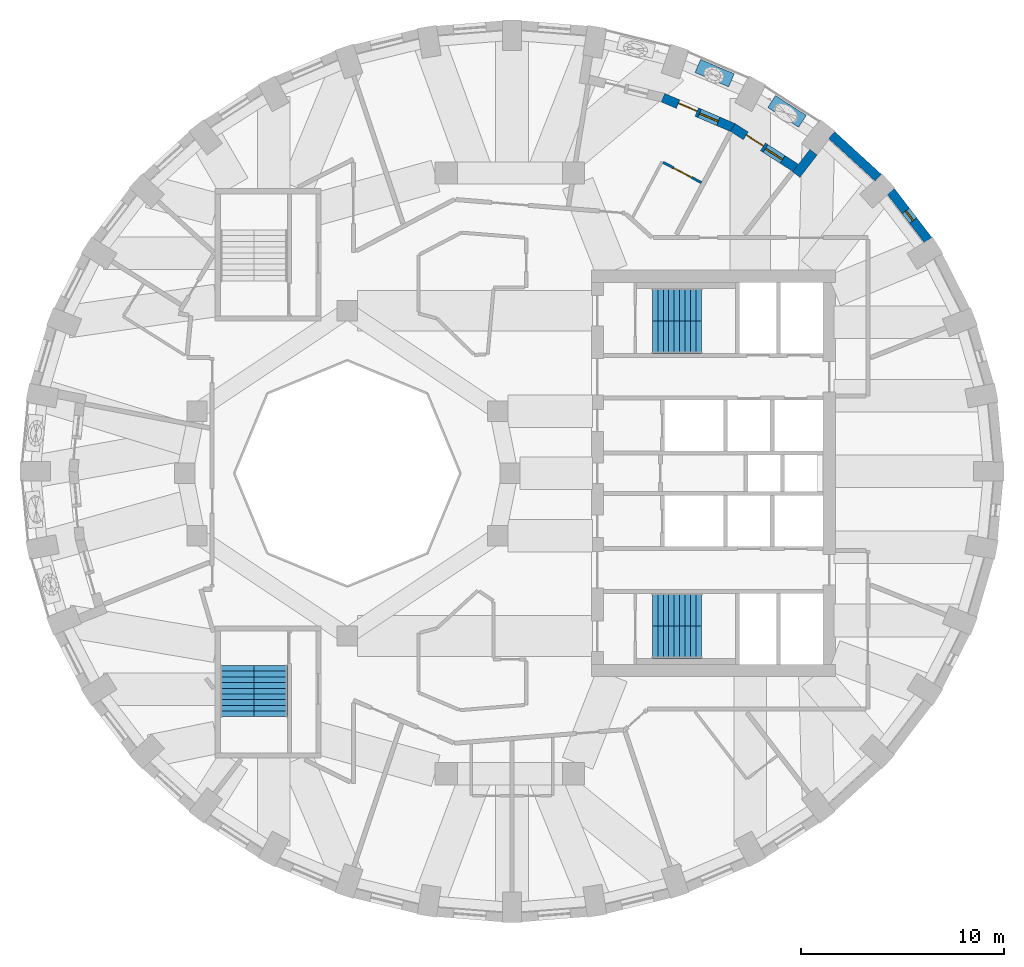
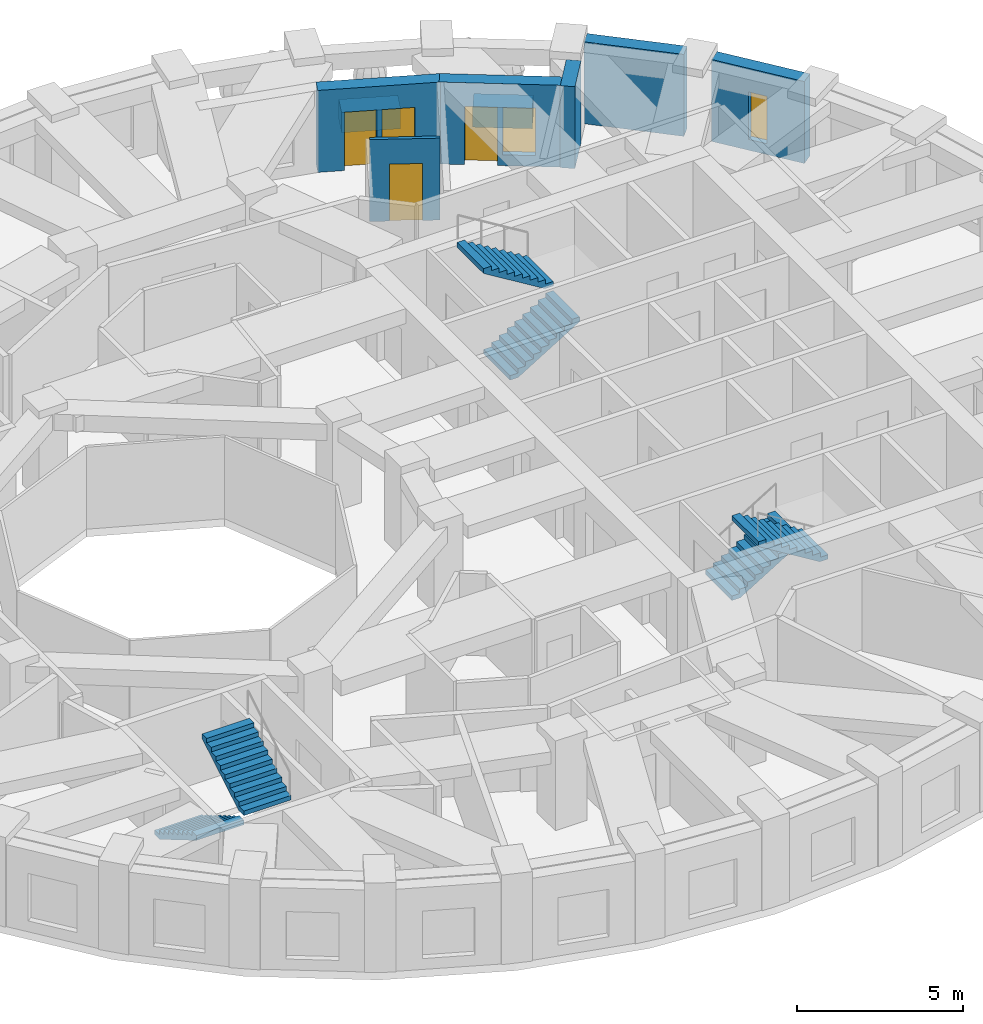
# One storey, part 8 of 12: 8 walls, 6 stair flights, 3 doors, 3 windows, 6 openings, 3 elements without a shape of their own.
"""IFC4 building model written with IfcOpenShell, lengths in metres."""

from ifc_helpers import new_model, si_unit, direction, frame, frame_2d, origin, place, context, subcontext, project, spatial, polyline, rectangle, outline, extrude, material, layer, layer_set, constituent, constituent_set, type_object, element, fill, aggregate, save


model = new_model("IFC4")

# Units and contexts
model_context = context("Model", 3, precision=1e-05, world=origin(), true_north=direction((0.0, 1.0)))
body_context = subcontext(model_context, "Body", "Model", "MODEL_VIEW")
ifc_project = project(units=[si_unit("LENGTHUNIT", "METRE"), si_unit("AREAUNIT", "SQUARE_METRE"), si_unit("VOLUMEUNIT", "CUBIC_METRE"), si_unit("PLANEANGLEUNIT", "RADIAN"), si_unit("MASSUNIT", "GRAM", prefix="KILO")], contexts=[model_context])

# Site, building, storey
site_placement = place(None, origin())
site = spatial("IfcSite", under=ifc_project, at=site_placement, CompositionType="ELEMENT")
building_placement = place(site_placement, origin())
building = spatial("IfcBuilding", under=site, at=building_placement, Name="Taillehof Tower", CompositionType="ELEMENT")
storey_placement = place(building_placement, frame((0.0, 0.0, 145.10009765625)))
storey = spatial("IfcBuildingStorey", under=building, at=storey_placement, Name="L40", CompositionType="ELEMENT", Elevation=145.10009765625)

# Wall, opening, window
ifc_material_1 = material(Name="Brick masonry", Category="masonry")
ifc_layer_1 = layer(ifc_material_1, 0.449951171875)
ifc_layer_set_1 = layer_set([ifc_layer_1], Name="Brick infill wall 450")
wall_type_1 = type_object("IfcWallType", Name="Brick infill wall 450", PredefinedType="SOLIDWALL", material=ifc_layer_set_1)
wall_1_placement = place(storey_placement, frame((20.573974609375, 11.467041015625, 0.0), z_axis=(0.0, 0.0, 1.0), x_axis=(-0.607817056371, 0.794077090706, 0.0)))
wall_1 = element("IfcWall", 1, at=wall_1_placement, inside=storey, type_object=wall_type_1, Name="Brick wall L40 bay 4", PredefinedType="SOLIDWALL", context=body_context, shape_type="SweptSolid", body=[
    extrude(rectangle(XDim=3.037109375, YDim=0.449951171875, at=frame_2d((1.5185546875, 0.0))), origin(), (0.0, 0.0, 1.0), 3.02001953125),
])
opening_1_placement = place(wall_1_placement, frame((1.218505859375, 0.0, 0.39990234375)))
opening_1 = element("IfcOpeningElement", 2, at=opening_1_placement, cuts=wall_1, Name="Opening W6", PredefinedType="OPENING", context=body_context, shape_type="SweptSolid", body=[
    extrude(rectangle(XDim=0.60009765625, YDim=1.75, at=frame_2d((0.300048828125, 0.875))), frame((0.0, 0.23486328125, 0.0), z_axis=(0.0, -1.0, 0.0), x_axis=(1.0, 0.0, 0.0)), (0.0, 0.0, 1.0), 0.469970703125),
])
ifc_material_2 = material(Name="Aluminium window frame with clear double glazing", Category="aluminium")
window_type_1 = type_object("IfcWindowType", Name="Slot window 600x1750", PartitioningType="SINGLE_PANEL", PredefinedType="WINDOW", material=ifc_material_2)
window_1_placement = place(opening_1_placement, origin())
window_1 = element("IfcWindow", 3, at=window_1_placement, inside=storey, type_object=window_type_1, Name="W6", OverallHeight=1.75, OverallWidth=0.60009765625, PartitioningType="SINGLE_PANEL", PredefinedType="WINDOW", context=body_context, shape_type="SweptSolid", body=[
    extrude(rectangle(XDim=0.60009765625, YDim=1.75, at=frame_2d((0.300048828125, 0.875))), frame((0.0, 0.034912109375, 0.0), z_axis=(0.0, -1.0, 0.0), x_axis=(1.0, 0.0, 0.0)), (0.0, 0.0, 1.0), 0.06005859375),
])
fill(opening_1, window_1)

# Walls
wall_2_placement = place(storey_placement, frame((18.11328125, 14.5498046875, 0.0), z_axis=(0.0, 0.0, 1.0), x_axis=(-0.737808755941, 0.675009807082, 0.0)))
element("IfcWall", 4, at=wall_2_placement, inside=storey, type_object=wall_type_1, Name="Brick wall L40 bay 5", PredefinedType="SOLIDWALL", context=body_context, shape_type="SweptSolid", body=[
    extrude(rectangle(XDim=3.094482421875, YDim=0.449951171875, at=frame_2d((1.54736328125, 0.0))), origin(), (0.0, 0.0, 1.0), 3.02001953125),
])
wall_3_placement = place(storey_placement, frame((14.931396484375, 15.796630859375, 0.0), z_axis=(0.0, 0.0, 1.0), x_axis=(-0.609897399413, -0.792480385996, 0.0)))
element("IfcWall", 5, at=wall_3_placement, inside=storey, type_object=wall_type_1, Name="Brick reveal L40 pocket 1", PredefinedType="SOLIDWALL", context=body_context, shape_type="SweptSolid", body=[
    extrude(rectangle(XDim=1.390625, YDim=0.449951171875, at=frame_2d((0.6953125, 0.0))), origin(), (0.0, 0.0, 1.0), 3.02001953125),
])

# Wall, openings, door, window
wall_4_placement = place(storey_placement, frame((14.0537109375, 15.025390625, 0.0), z_axis=(0.0, 0.0, 1.0), x_axis=(-0.841393801846, 0.54042249233, 0.0)))
wall_4 = element("IfcWall", 6, at=wall_4_placement, inside=storey, type_object=wall_type_1, Name="Brick wall L40 pocket bay 6", PredefinedType="SOLIDWALL", context=body_context, shape_type="SweptSolid", body=[
    extrude(rectangle(XDim=3.6826171875, YDim=0.449951171875, at=frame_2d((1.84130859375, 0.0))), origin(), (0.0, 0.0, 1.0), 3.02001953125),
])
opening_2_placement = place(wall_4_placement, frame((0.766357421875, 0.0, 0.39990234375)))
opening_2 = element("IfcOpeningElement", 7, at=opening_2_placement, cuts=wall_4, Name="Opening W5", PredefinedType="OPENING", context=body_context, shape_type="SweptSolid", body=[
    extrude(rectangle(XDim=1.0, YDim=1.75, at=frame_2d((0.5, 0.875))), frame((0.0, 0.23486328125, 0.0), z_axis=(0.0, -1.0, 0.0), x_axis=(1.0, 0.0, 0.0)), (0.0, 0.0, 1.0), 0.469970703125),
])
opening_3_placement = place(wall_4_placement, frame((1.916259765625, 0.0, 0.0)))
opening_3 = element("IfcOpeningElement", 8, at=opening_3_placement, cuts=wall_4, Name="Opening D4094", PredefinedType="OPENING", context=body_context, shape_type="SweptSolid", body=[
    extrude(rectangle(XDim=1.0, YDim=2.14990234375, at=frame_2d((0.5, 1.074951171875))), frame((0.0, 0.23486328125, 0.0), z_axis=(0.0, -1.0, 0.0), x_axis=(1.0, 0.0, 0.0)), (0.0, 0.0, 1.0), 0.469970703125),
])
ifc_material_3 = material(Name="Aluminium door frame with clear double glazing", Category="aluminium")
door_type_1 = type_object("IfcDoorType", Name="Balcony door 1000x2150", OperationType="SINGLE_SWING_RIGHT", PredefinedType="DOOR", material=ifc_material_3)
door_1_placement = place(opening_3_placement, frame((1.0, 0.0, 0.0), z_axis=(0.0, 0.0, 1.0), x_axis=(-1.0, 0.0, 0.0)))
door_1 = element("IfcDoor", 9, at=door_1_placement, inside=storey, type_object=door_type_1, Name="Balcony door L40 bay 6", OperationType="SINGLE_SWING_RIGHT", OverallHeight=2.14990234375, OverallWidth=1.0, PredefinedType="DOOR", context=body_context, shape_type="SweptSolid", body=[
    extrude(rectangle(XDim=1.0, YDim=2.14990234375, at=frame_2d((0.5, 1.074951171875))), frame((0.0, 0.0751953125, 0.0), z_axis=(0.0, -1.0, 0.0), x_axis=(1.0, 0.0, 0.0)), (0.0, 0.0, 1.0), 0.050048828125),
])
fill(opening_3, door_1)
ifc_material_4 = material(Name="Aluminium window frame with clear double glazing", Category="aluminium")
window_type_2 = type_object("IfcWindowType", Name="Fixed window 1000x1750", PartitioningType="SINGLE_PANEL", PredefinedType="WINDOW", material=ifc_material_4)
window_2_placement = place(opening_2_placement, origin())
window_2 = element("IfcWindow", 10, at=window_2_placement, inside=storey, type_object=window_type_2, Name="W5", OverallHeight=1.75, OverallWidth=1.0, PartitioningType="SINGLE_PANEL", PredefinedType="WINDOW", context=body_context, shape_type="SweptSolid", body=[
    extrude(rectangle(XDim=1.0, YDim=1.75, at=frame_2d((0.5, 0.875))), frame((0.0, 0.034912109375, 0.0), z_axis=(0.0, -1.0, 0.0), x_axis=(1.0, 0.0, 0.0)), (0.0, 0.0, 1.0), 0.06005859375),
])
fill(opening_2, window_2)

wall_5_placement = place(storey_placement, frame((10.98828125, 16.998046875, 0.0), z_axis=(0.0, 0.0, 1.0), x_axis=(-0.919443425894, 0.393222311907, 0.0)))
wall_5 = element("IfcWall", 11, at=wall_5_placement, inside=storey, type_object=wall_type_1, Name="Brick wall L40 pocket bay 7", PredefinedType="SOLIDWALL", context=body_context, shape_type="SweptSolid", body=[
    extrude(rectangle(XDim=3.76318359375, YDim=0.449951171875, at=frame_2d((1.881591796875, 0.0))), origin(), (0.0, 0.0, 1.0), 3.02001953125),
])
opening_4_placement = place(wall_5_placement, frame((0.806640625, 0.0, 0.39990234375)))
opening_4 = element("IfcOpeningElement", 12, at=opening_4_placement, cuts=wall_5, Name="Opening W5", PredefinedType="OPENING", context=body_context, shape_type="SweptSolid", body=[
    extrude(rectangle(XDim=1.0, YDim=1.75, at=frame_2d((0.5, 0.875))), frame((0.0, 0.23486328125, 0.0), z_axis=(0.0, -1.0, 0.0), x_axis=(1.0, 0.0, 0.0)), (0.0, 0.0, 1.0), 0.469970703125),
])
opening_5_placement = place(wall_5_placement, frame((1.95654296875, 0.0, 0.0)))
opening_5 = element("IfcOpeningElement", 13, at=opening_5_placement, cuts=wall_5, Name="Opening D4095", PredefinedType="OPENING", context=body_context, shape_type="SweptSolid", body=[
    extrude(rectangle(XDim=1.0, YDim=2.14990234375, at=frame_2d((0.5, 1.074951171875))), frame((0.0, 0.23486328125, 0.0), z_axis=(0.0, -1.0, 0.0), x_axis=(1.0, 0.0, 0.0)), (0.0, 0.0, 1.0), 0.469970703125),
])
door_2_placement = place(opening_5_placement, frame((1.0, 0.0, 0.0), z_axis=(0.0, 0.0, 1.0), x_axis=(-1.0, 0.0, 0.0)))
door_2 = element("IfcDoor", 14, at=door_2_placement, inside=storey, type_object=door_type_1, Name="Balcony door L40 bay 7", OperationType="SINGLE_SWING_LEFT", OverallHeight=2.14990234375, OverallWidth=1.0, PredefinedType="DOOR", context=body_context, shape_type="SweptSolid", body=[
    extrude(rectangle(XDim=1.0, YDim=2.14990234375, at=frame_2d((0.5, 1.074951171875))), frame((0.0, 0.0751953125, 0.0), z_axis=(0.0, -1.0, 0.0), x_axis=(1.0, 0.0, 0.0)), (0.0, 0.0, 1.0), 0.050048828125),
])
fill(opening_5, door_2)
window_3_placement = place(opening_4_placement, origin())
window_3 = element("IfcWindow", 15, at=window_3_placement, inside=storey, type_object=window_type_2, Name="W5", OverallHeight=1.75, OverallWidth=1.0, PartitioningType="SINGLE_PANEL", PredefinedType="WINDOW", context=body_context, shape_type="SweptSolid", body=[
    extrude(rectangle(XDim=1.0, YDim=1.75, at=frame_2d((0.5, 0.875))), frame((0.0, 0.034912109375, 0.0), z_axis=(0.0, -1.0, 0.0), x_axis=(1.0, 0.0, 0.0)), (0.0, 0.0, 1.0), 0.06005859375),
])
fill(opening_4, window_3)

# Wall, opening, door
ifc_material_5 = material(Name="Gypsum board on steel studs, moisture resistant", Category="steel")
ifc_layer_2 = layer(ifc_material_5, 0.1201171875)
ifc_layer_set_2 = layer_set([ifc_layer_2], Name="En-suite wall 120")
wall_type_2 = type_object("IfcWallType", Name="En-suite wall 120", PredefinedType="PARTITIONING", material=ifc_layer_set_2)
wall_6_placement = place(storey_placement, frame((7.532470703125, 15.2998046875, 0.0), z_axis=(0.0, 0.0, 1.0), x_axis=(0.883707061275, -0.468040414764, 0.0)))
wall_6 = element("IfcWall", 16, at=wall_6_placement, inside=storey, type_object=wall_type_2, Name="En-suite wall", PredefinedType="PARTITIONING", context=body_context, shape_type="SweptSolid", body=[
    extrude(rectangle(XDim=2.13037109375, YDim=0.1201171875, at=frame_2d((1.065185546875, 0.0))), origin(), (0.0, 0.0, 1.0), 3.02001953125),
])
opening_6_placement = place(wall_6_placement, frame((0.59033203125, 0.0, 0.0)))
opening_6 = element("IfcOpeningElement", 17, at=opening_6_placement, cuts=wall_6, Name="Opening D4042", PredefinedType="OPENING", context=body_context, shape_type="SweptSolid", body=[
    extrude(rectangle(XDim=1.0, YDim=2.10009765625, at=frame_2d((0.5, 1.050048828125))), frame((0.0, 0.070068359375, 0.0), z_axis=(0.0, -1.0, 0.0), x_axis=(1.0, 0.0, 0.0)), (0.0, 0.0, 1.0), 0.14013671875),
])
ifc_material_6 = material(Name="Timber door leaf in steel frame", Category="steel")
door_type_2 = type_object("IfcDoorType", Name="Accessible en-suite door 1000 x 2100", OperationType="SINGLE_SWING_LEFT", PredefinedType="DOOR", material=ifc_material_6)
door_3_placement = place(opening_6_placement, origin())
door_3 = element("IfcDoor", 18, at=door_3_placement, inside=storey, type_object=door_type_2, Name="D4042", OperationType="SINGLE_SWING_RIGHT", OverallHeight=2.10009765625, OverallWidth=1.0, PredefinedType="DOOR", context=body_context, shape_type="SweptSolid", body=[
    extrude(rectangle(XDim=1.0, YDim=2.10009765625, at=frame_2d((0.5, 1.050048828125))), frame((0.0, 0.02490234375, 0.0), z_axis=(0.0, -1.0, 0.0), x_axis=(1.0, 0.0, 0.0)), (0.0, 0.0, 1.0), 0.050048828125),
])
fill(opening_6, door_3)

# Walls
ifc_material_7 = material(Name="Concrete C30/37 precast", Category="concrete")
ifc_constituent_1 = constituent(ifc_material_7, Name="Structure", Category="concrete")
ifc_material_8 = material(Name="Insulated lining")
ifc_constituent_2 = constituent(ifc_material_8, Name="Lining")
ifc_constituent_set = constituent_set(constituents=[ifc_constituent_1, ifc_constituent_2], Name="Planter trough 700x750")
wall_type_3 = type_object("IfcWallType", Name="Planter trough 700x750", PredefinedType="USERDEFINED", material=ifc_constituent_set)
wall_7_placement = place(storey_placement, frame((14.385986328125, 17.317626953125, 0.0), z_axis=(0.0, 0.0, 1.0), x_axis=(-0.842032375698, 0.539426990682, 0.0)))
element("IfcWall", 19, at=wall_7_placement, inside=storey, type_object=wall_type_3, Name="Planter L40 bay 6", ObjectType="PLANTER", PredefinedType="USERDEFINED", context=body_context, shape_type="SweptSolid", body=[
    extrude(rectangle(XDim=1.800048828125, YDim=0.699951171875, at=frame_2d((0.89990234375, 0.0))), origin(), (0.0, 0.0, 1.0), 0.75),
])
wall_8_placement = place(storey_placement, frame((10.89453125, 19.331298828125, 0.0), z_axis=(0.0, 0.0, 1.0), x_axis=(-0.91978926552, 0.392412674406, 0.0)))
element("IfcWall", 20, at=wall_8_placement, inside=storey, type_object=wall_type_3, Name="Planter L40 bay 7", ObjectType="PLANTER", PredefinedType="USERDEFINED", context=body_context, shape_type="SweptSolid", body=[
    extrude(rectangle(XDim=1.7998046875, YDim=0.699951171875, at=frame_2d((0.89990234375, 0.0))), origin(), (0.0, 0.0, 1.0), 0.75),
])

# Stair, stair flights
ifc_material_9 = material(Name="Concrete C40/50", Category="concrete")
stair_type = type_object("IfcStairType", Name="Exit stair half-turn", PredefinedType="HALF_TURN_STAIR", material=ifc_material_9)
stair_1_placement = place(storey_placement, origin())
stair_1 = element("IfcStair", 21, at=stair_1_placement, inside=storey, type_object=stair_type, Name="Exit stair S1", PredefinedType="HALF_TURN_STAIR")
ifc_material_10 = material(Name="Concrete C40/50", Category="concrete")
stair_flight_type_1 = type_object("IfcStairFlightType", Name="Stair flight 1600 riser 165.0 going 270", PredefinedType="STRAIGHT", material=ifc_material_10)
stair_flight_1_placement = place(storey_placement, frame((7.0, 6.699951171875, 0.0), z_axis=(0.0, 0.0, 1.0), x_axis=(1.0, 0.0, 0.0)))
stair_flight_1 = element("IfcStairFlight", 22, at=stair_flight_1_placement, type_object=stair_flight_type_1, Name="S1 flight 1", NumberOfRisers=10, NumberOfTreads=9, PredefinedType="STRAIGHT", RiserHeight=0.165, TreadLength=0.27, context=body_context, shape_type="SweptSolid", body=[
    extrude(outline(polyline([(0.0, 0.0), (0.0, 0.00537109375), (0.0, 0.0107421875), (0.0, 0.015869140625), (0.0, 0.021240234375), (0.0, 0.026611328125), (0.0, 0.031982421875), (0.0, 0.037353515625), (0.0, 0.04248046875), (0.0, 0.0478515625), (0.0, 0.05322265625), (0.0, 0.05859375), (0.0, 0.06396484375), (0.0, 0.069091796875), (0.0, 0.074462890625), (0.0, 0.079833984375), (0.0, 0.085205078125), (0.0, 0.090576171875), (0.0, 0.095703125), (0.0, 0.10107421875), (0.0, 0.1064453125), (0.0, 0.11181640625), (0.0, 0.1171875), (0.0, 0.122314453125), (0.0, 0.127685546875), (0.0, 0.133056640625), (0.0, 0.138427734375), (0.0, 0.143798828125), (0.0, 0.14892578125), (0.0, 0.154296875), (0.0, 0.15966796875), (0.0, 0.1650390625), (0.27001953125, 0.1650390625), (0.27001953125, 0.330078125), (0.5400390625, 0.330078125), (0.5400390625, 0.4951171875), (0.81005859375, 0.4951171875), (0.81005859375, 0.659912109375), (1.080078125, 0.659912109375), (1.080078125, 0.824951171875), (1.35009765625, 0.824951171875), (1.35009765625, 0.989990234375), (1.6201171875, 0.989990234375), (1.6201171875, 1.155029296875), (1.889892578125, 1.155029296875), (1.889892578125, 1.320068359375), (2.159912109375, 1.320068359375), (2.159912109375, 1.485107421875), (2.429931640625, 1.485107421875), (2.429931640625, 1.479248046875), (2.429931640625, 1.4736328125), (2.429931640625, 1.468017578125), (2.429931640625, 1.46240234375), (2.429931640625, 1.45654296875), (2.429931640625, 1.450927734375), (2.429931640625, 1.4453125), (2.429931640625, 1.439697265625), (2.429931640625, 1.43408203125), (2.429931640625, 1.42822265625), (2.429931640625, 1.422607421875), (2.429931640625, 1.4169921875), (2.429931640625, 1.411376953125), (2.429931640625, 1.40576171875), (2.429931640625, 1.39990234375), (2.429931640625, 1.394287109375), (2.429931640625, 1.388671875), (2.429931640625, 1.383056640625), (2.429931640625, 1.37744140625), (2.429931640625, 1.37158203125), (2.429931640625, 1.365966796875), (2.429931640625, 1.3603515625), (2.429931640625, 1.354736328125), (2.429931640625, 1.348876953125), (2.429931640625, 1.34326171875), (2.429931640625, 1.337646484375), (2.429931640625, 1.33203125), (2.429931640625, 1.326416015625), (2.429931640625, 1.320556640625), (2.429931640625, 1.31494140625), (2.429931640625, 1.309326171875), (0.287353515625, 0.0), (0.0, 0.0)])), frame((0.0, 0.800048828125, 0.0), z_axis=(0.0, -1.0, 0.0), x_axis=(1.0, 0.0, 0.0)), (0.0, 0.0, 1.0), 1.6),
])
stair_flight_2_placement = place(storey_placement, frame((9.429931640625, 8.300048828125, 1.64990234375), z_axis=(0.0, 0.0, 1.0), x_axis=(-1.0, 0.0, 0.0)))
stair_flight_2 = element("IfcStairFlight", 23, at=stair_flight_2_placement, type_object=stair_flight_type_1, Name="S1 flight 2", NumberOfRisers=10, NumberOfTreads=9, PredefinedType="STRAIGHT", RiserHeight=0.165, TreadLength=0.27, context=body_context, shape_type="SweptSolid", body=[
    extrude(outline(polyline([(0.0, 0.0), (0.0, 0.00537109375), (0.0, 0.0107421875), (0.0, 0.015869140625), (0.0, 0.021240234375), (0.0, 0.026611328125), (0.0, 0.031982421875), (0.0, 0.037353515625), (0.0, 0.04248046875), (0.0, 0.0478515625), (0.0, 0.05322265625), (0.0, 0.05859375), (0.0, 0.06396484375), (0.0, 0.069091796875), (0.0, 0.074462890625), (0.0, 0.079833984375), (0.0, 0.085205078125), (0.0, 0.090576171875), (0.0, 0.095703125), (0.0, 0.10107421875), (0.0, 0.1064453125), (0.0, 0.11181640625), (0.0, 0.1171875), (0.0, 0.122314453125), (0.0, 0.127685546875), (0.0, 0.133056640625), (0.0, 0.138427734375), (0.0, 0.143798828125), (0.0, 0.14892578125), (0.0, 0.154296875), (0.0, 0.15966796875), (0.0, 0.1650390625), (0.27001953125, 0.1650390625), (0.27001953125, 0.330078125), (0.5400390625, 0.330078125), (0.5400390625, 0.4951171875), (0.81005859375, 0.4951171875), (0.81005859375, 0.659912109375), (1.080078125, 0.659912109375), (1.080078125, 0.824951171875), (1.35009765625, 0.824951171875), (1.35009765625, 0.989990234375), (1.6201171875, 0.989990234375), (1.6201171875, 1.155029296875), (1.889892578125, 1.155029296875), (1.889892578125, 1.320068359375), (2.159912109375, 1.320068359375), (2.159912109375, 1.485107421875), (2.429931640625, 1.485107421875), (2.429931640625, 1.479248046875), (2.429931640625, 1.4736328125), (2.429931640625, 1.468017578125), (2.429931640625, 1.46240234375), (2.429931640625, 1.45654296875), (2.429931640625, 1.450927734375), (2.429931640625, 1.4453125), (2.429931640625, 1.439697265625), (2.429931640625, 1.43408203125), (2.429931640625, 1.42822265625), (2.429931640625, 1.422607421875), (2.429931640625, 1.4169921875), (2.429931640625, 1.411376953125), (2.429931640625, 1.40576171875), (2.429931640625, 1.39990234375), (2.429931640625, 1.394287109375), (2.429931640625, 1.388671875), (2.429931640625, 1.383056640625), (2.429931640625, 1.37744140625), (2.429931640625, 1.37158203125), (2.429931640625, 1.365966796875), (2.429931640625, 1.3603515625), (2.429931640625, 1.354736328125), (2.429931640625, 1.348876953125), (2.429931640625, 1.34326171875), (2.429931640625, 1.337646484375), (2.429931640625, 1.33203125), (2.429931640625, 1.326416015625), (2.429931640625, 1.320556640625), (2.429931640625, 1.31494140625), (2.429931640625, 1.309326171875), (0.287353515625, 0.0), (0.0, 0.0)])), frame((0.0, 0.800048828125, 0.0), z_axis=(0.0, -1.0, 0.0), x_axis=(1.0, 0.0, 0.0)), (0.0, 0.0, 1.0), 1.6),
])
aggregate(stair_1, [stair_flight_1, stair_flight_2])

stair_2_placement = place(storey_placement, origin())
stair_2 = element("IfcStair", 24, at=stair_2_placement, inside=storey, type_object=stair_type, Name="Exit stair S2", PredefinedType="HALF_TURN_STAIR")
stair_flight_3_placement = place(storey_placement, frame((7.0, -6.699951171875, 0.0), z_axis=(0.0, 0.0, 1.0), x_axis=(1.0, 0.0, 0.0)))
stair_flight_3 = element("IfcStairFlight", 25, at=stair_flight_3_placement, type_object=stair_flight_type_1, Name="S2 flight 1", NumberOfRisers=10, NumberOfTreads=9, PredefinedType="STRAIGHT", RiserHeight=0.165, TreadLength=0.27, context=body_context, shape_type="SweptSolid", body=[
    extrude(outline(polyline([(0.0, 0.0), (0.0, 0.00537109375), (0.0, 0.0107421875), (0.0, 0.015869140625), (0.0, 0.021240234375), (0.0, 0.026611328125), (0.0, 0.031982421875), (0.0, 0.037353515625), (0.0, 0.04248046875), (0.0, 0.0478515625), (0.0, 0.05322265625), (0.0, 0.05859375), (0.0, 0.06396484375), (0.0, 0.069091796875), (0.0, 0.074462890625), (0.0, 0.079833984375), (0.0, 0.085205078125), (0.0, 0.090576171875), (0.0, 0.095703125), (0.0, 0.10107421875), (0.0, 0.1064453125), (0.0, 0.11181640625), (0.0, 0.1171875), (0.0, 0.122314453125), (0.0, 0.127685546875), (0.0, 0.133056640625), (0.0, 0.138427734375), (0.0, 0.143798828125), (0.0, 0.14892578125), (0.0, 0.154296875), (0.0, 0.15966796875), (0.0, 0.1650390625), (0.27001953125, 0.1650390625), (0.27001953125, 0.330078125), (0.5400390625, 0.330078125), (0.5400390625, 0.4951171875), (0.81005859375, 0.4951171875), (0.81005859375, 0.659912109375), (1.080078125, 0.659912109375), (1.080078125, 0.824951171875), (1.35009765625, 0.824951171875), (1.35009765625, 0.989990234375), (1.6201171875, 0.989990234375), (1.6201171875, 1.155029296875), (1.889892578125, 1.155029296875), (1.889892578125, 1.320068359375), (2.159912109375, 1.320068359375), (2.159912109375, 1.485107421875), (2.429931640625, 1.485107421875), (2.429931640625, 1.479248046875), (2.429931640625, 1.4736328125), (2.429931640625, 1.468017578125), (2.429931640625, 1.46240234375), (2.429931640625, 1.45654296875), (2.429931640625, 1.450927734375), (2.429931640625, 1.4453125), (2.429931640625, 1.439697265625), (2.429931640625, 1.43408203125), (2.429931640625, 1.42822265625), (2.429931640625, 1.422607421875), (2.429931640625, 1.4169921875), (2.429931640625, 1.411376953125), (2.429931640625, 1.40576171875), (2.429931640625, 1.39990234375), (2.429931640625, 1.394287109375), (2.429931640625, 1.388671875), (2.429931640625, 1.383056640625), (2.429931640625, 1.37744140625), (2.429931640625, 1.37158203125), (2.429931640625, 1.365966796875), (2.429931640625, 1.3603515625), (2.429931640625, 1.354736328125), (2.429931640625, 1.348876953125), (2.429931640625, 1.34326171875), (2.429931640625, 1.337646484375), (2.429931640625, 1.33203125), (2.429931640625, 1.326416015625), (2.429931640625, 1.320556640625), (2.429931640625, 1.31494140625), (2.429931640625, 1.309326171875), (0.287353515625, 0.0), (0.0, 0.0)])), frame((0.0, 0.800048828125, 0.0), z_axis=(0.0, -1.0, 0.0), x_axis=(1.0, 0.0, 0.0)), (0.0, 0.0, 1.0), 1.6),
])
stair_flight_4_placement = place(storey_placement, frame((9.429931640625, -8.300048828125, 1.64990234375), z_axis=(0.0, 0.0, 1.0), x_axis=(-1.0, 0.0, 0.0)))
stair_flight_4 = element("IfcStairFlight", 26, at=stair_flight_4_placement, type_object=stair_flight_type_1, Name="S2 flight 2", NumberOfRisers=10, NumberOfTreads=9, PredefinedType="STRAIGHT", RiserHeight=0.165, TreadLength=0.27, context=body_context, shape_type="SweptSolid", body=[
    extrude(outline(polyline([(0.0, 0.0), (0.0, 0.00537109375), (0.0, 0.0107421875), (0.0, 0.015869140625), (0.0, 0.021240234375), (0.0, 0.026611328125), (0.0, 0.031982421875), (0.0, 0.037353515625), (0.0, 0.04248046875), (0.0, 0.0478515625), (0.0, 0.05322265625), (0.0, 0.05859375), (0.0, 0.06396484375), (0.0, 0.069091796875), (0.0, 0.074462890625), (0.0, 0.079833984375), (0.0, 0.085205078125), (0.0, 0.090576171875), (0.0, 0.095703125), (0.0, 0.10107421875), (0.0, 0.1064453125), (0.0, 0.11181640625), (0.0, 0.1171875), (0.0, 0.122314453125), (0.0, 0.127685546875), (0.0, 0.133056640625), (0.0, 0.138427734375), (0.0, 0.143798828125), (0.0, 0.14892578125), (0.0, 0.154296875), (0.0, 0.15966796875), (0.0, 0.1650390625), (0.27001953125, 0.1650390625), (0.27001953125, 0.330078125), (0.5400390625, 0.330078125), (0.5400390625, 0.4951171875), (0.81005859375, 0.4951171875), (0.81005859375, 0.659912109375), (1.080078125, 0.659912109375), (1.080078125, 0.824951171875), (1.35009765625, 0.824951171875), (1.35009765625, 0.989990234375), (1.6201171875, 0.989990234375), (1.6201171875, 1.155029296875), (1.889892578125, 1.155029296875), (1.889892578125, 1.320068359375), (2.159912109375, 1.320068359375), (2.159912109375, 1.485107421875), (2.429931640625, 1.485107421875), (2.429931640625, 1.479248046875), (2.429931640625, 1.4736328125), (2.429931640625, 1.468017578125), (2.429931640625, 1.46240234375), (2.429931640625, 1.45654296875), (2.429931640625, 1.450927734375), (2.429931640625, 1.4453125), (2.429931640625, 1.439697265625), (2.429931640625, 1.43408203125), (2.429931640625, 1.42822265625), (2.429931640625, 1.422607421875), (2.429931640625, 1.4169921875), (2.429931640625, 1.411376953125), (2.429931640625, 1.40576171875), (2.429931640625, 1.39990234375), (2.429931640625, 1.394287109375), (2.429931640625, 1.388671875), (2.429931640625, 1.383056640625), (2.429931640625, 1.37744140625), (2.429931640625, 1.37158203125), (2.429931640625, 1.365966796875), (2.429931640625, 1.3603515625), (2.429931640625, 1.354736328125), (2.429931640625, 1.348876953125), (2.429931640625, 1.34326171875), (2.429931640625, 1.337646484375), (2.429931640625, 1.33203125), (2.429931640625, 1.326416015625), (2.429931640625, 1.320556640625), (2.429931640625, 1.31494140625), (2.429931640625, 1.309326171875), (0.287353515625, 0.0), (0.0, 0.0)])), frame((0.0, 0.800048828125, 0.0), z_axis=(0.0, -1.0, 0.0), x_axis=(1.0, 0.0, 0.0)), (0.0, 0.0, 1.0), 1.6),
])
aggregate(stair_2, [stair_flight_3, stair_flight_4])

stair_3_placement = place(storey_placement, origin())
stair_3 = element("IfcStair", 27, at=stair_3_placement, inside=storey, type_object=stair_type, Name="Exit stair S4", PredefinedType="HALF_TURN_STAIR")
ifc_material_11 = material(Name="Concrete C40/50", Category="concrete")
stair_flight_type_2 = type_object("IfcStairFlightType", Name="Stair flight 1650 riser 165.0 going 280", PredefinedType="STRAIGHT", material=ifc_material_11)
stair_flight_5_placement = place(storey_placement, frame((-13.425048828125, -9.449951171875, 0.0), z_axis=(0.0, 0.0, 1.0), x_axis=(0.0, -1.0, 0.0)))
stair_flight_5 = element("IfcStairFlight", 28, at=stair_flight_5_placement, type_object=stair_flight_type_2, Name="S4 flight 1", NumberOfRisers=10, NumberOfTreads=9, PredefinedType="STRAIGHT", RiserHeight=0.165, TreadLength=0.28, context=body_context, shape_type="SweptSolid", body=[
    extrude(outline(polyline([(0.0, 0.0), (0.0, 0.00537109375), (0.0, 0.0107421875), (0.0, 0.015869140625), (0.0, 0.021240234375), (0.0, 0.026611328125), (0.0, 0.031982421875), (0.0, 0.037353515625), (0.0, 0.04248046875), (0.0, 0.0478515625), (0.0, 0.05322265625), (0.0, 0.05859375), (0.0, 0.06396484375), (0.0, 0.069091796875), (0.0, 0.074462890625), (0.0, 0.079833984375), (0.0, 0.085205078125), (0.0, 0.090576171875), (0.0, 0.095703125), (0.0, 0.10107421875), (0.0, 0.1064453125), (0.0, 0.11181640625), (0.0, 0.1171875), (0.0, 0.122314453125), (0.0, 0.127685546875), (0.0, 0.133056640625), (0.0, 0.138427734375), (0.0, 0.143798828125), (0.0, 0.14892578125), (0.0, 0.154296875), (0.0, 0.15966796875), (0.0, 0.1650390625), (0.280029296875, 0.1650390625), (0.280029296875, 0.330078125), (0.56005859375, 0.330078125), (0.56005859375, 0.4951171875), (0.840087890625, 0.4951171875), (0.840087890625, 0.659912109375), (1.1201171875, 0.659912109375), (1.1201171875, 0.824951171875), (1.39990234375, 0.824951171875), (1.39990234375, 0.989990234375), (1.679931640625, 0.989990234375), (1.679931640625, 1.155029296875), (1.9599609375, 1.155029296875), (1.9599609375, 1.320068359375), (2.239990234375, 1.320068359375), (2.239990234375, 1.485107421875), (2.52001953125, 1.485107421875), (2.52001953125, 1.4794921875), (2.52001953125, 1.473876953125), (2.52001953125, 1.46826171875), (2.52001953125, 1.462646484375), (2.52001953125, 1.45703125), (2.52001953125, 1.451416015625), (2.52001953125, 1.44580078125), (2.52001953125, 1.440185546875), (2.52001953125, 1.4345703125), (2.52001953125, 1.428955078125), (2.52001953125, 1.42333984375), (2.52001953125, 1.417724609375), (2.52001953125, 1.412109375), (2.52001953125, 1.406494140625), (2.52001953125, 1.40087890625), (2.52001953125, 1.395263671875), (2.52001953125, 1.3896484375), (2.52001953125, 1.384033203125), (2.52001953125, 1.37841796875), (2.52001953125, 1.372802734375), (2.52001953125, 1.3671875), (2.52001953125, 1.361572265625), (2.52001953125, 1.35595703125), (2.52001953125, 1.350341796875), (2.52001953125, 1.3447265625), (2.52001953125, 1.339111328125), (2.52001953125, 1.33349609375), (2.52001953125, 1.327880859375), (2.52001953125, 1.322265625), (2.52001953125, 1.316650390625), (2.52001953125, 1.31103515625), (0.295166015625, 0.0), (0.0, 0.0)])), frame((0.0, 0.824951171875, 0.0), z_axis=(0.0, -1.0, 0.0), x_axis=(1.0, 0.0, 0.0)), (0.0, 0.0, 1.0), 1.65),
])
stair_flight_6_placement = place(storey_placement, frame((-11.77490234375, -11.969970703125, 1.64990234375), z_axis=(0.0, 0.0, 1.0), x_axis=(0.0, 1.0, 0.0)))
stair_flight_6 = element("IfcStairFlight", 29, at=stair_flight_6_placement, type_object=stair_flight_type_2, Name="S4 flight 2", NumberOfRisers=10, NumberOfTreads=9, PredefinedType="STRAIGHT", RiserHeight=0.165, TreadLength=0.28, context=body_context, shape_type="SweptSolid", body=[
    extrude(outline(polyline([(0.0, 0.0), (0.0, 0.00537109375), (0.0, 0.0107421875), (0.0, 0.015869140625), (0.0, 0.021240234375), (0.0, 0.026611328125), (0.0, 0.031982421875), (0.0, 0.037353515625), (0.0, 0.04248046875), (0.0, 0.0478515625), (0.0, 0.05322265625), (0.0, 0.05859375), (0.0, 0.06396484375), (0.0, 0.069091796875), (0.0, 0.074462890625), (0.0, 0.079833984375), (0.0, 0.085205078125), (0.0, 0.090576171875), (0.0, 0.095703125), (0.0, 0.10107421875), (0.0, 0.1064453125), (0.0, 0.11181640625), (0.0, 0.1171875), (0.0, 0.122314453125), (0.0, 0.127685546875), (0.0, 0.133056640625), (0.0, 0.138427734375), (0.0, 0.143798828125), (0.0, 0.14892578125), (0.0, 0.154296875), (0.0, 0.15966796875), (0.0, 0.1650390625), (0.280029296875, 0.1650390625), (0.280029296875, 0.330078125), (0.56005859375, 0.330078125), (0.56005859375, 0.4951171875), (0.840087890625, 0.4951171875), (0.840087890625, 0.659912109375), (1.1201171875, 0.659912109375), (1.1201171875, 0.824951171875), (1.39990234375, 0.824951171875), (1.39990234375, 0.989990234375), (1.679931640625, 0.989990234375), (1.679931640625, 1.155029296875), (1.9599609375, 1.155029296875), (1.9599609375, 1.320068359375), (2.239990234375, 1.320068359375), (2.239990234375, 1.485107421875), (2.52001953125, 1.485107421875), (2.52001953125, 1.4794921875), (2.52001953125, 1.473876953125), (2.52001953125, 1.46826171875), (2.52001953125, 1.462646484375), (2.52001953125, 1.45703125), (2.52001953125, 1.451416015625), (2.52001953125, 1.44580078125), (2.52001953125, 1.440185546875), (2.52001953125, 1.4345703125), (2.52001953125, 1.428955078125), (2.52001953125, 1.42333984375), (2.52001953125, 1.417724609375), (2.52001953125, 1.412109375), (2.52001953125, 1.406494140625), (2.52001953125, 1.40087890625), (2.52001953125, 1.395263671875), (2.52001953125, 1.3896484375), (2.52001953125, 1.384033203125), (2.52001953125, 1.37841796875), (2.52001953125, 1.372802734375), (2.52001953125, 1.3671875), (2.52001953125, 1.361572265625), (2.52001953125, 1.35595703125), (2.52001953125, 1.350341796875), (2.52001953125, 1.3447265625), (2.52001953125, 1.339111328125), (2.52001953125, 1.33349609375), (2.52001953125, 1.327880859375), (2.52001953125, 1.322265625), (2.52001953125, 1.316650390625), (2.52001953125, 1.31103515625), (0.295166015625, 0.0), (0.0, 0.0)])), frame((0.0, 0.824951171875, 0.0), z_axis=(0.0, -1.0, 0.0), x_axis=(1.0, 0.0, 0.0)), (0.0, 0.0, 1.0), 1.65),
])
aggregate(stair_3, [stair_flight_5, stair_flight_6])

save(model, "model.ifc")
